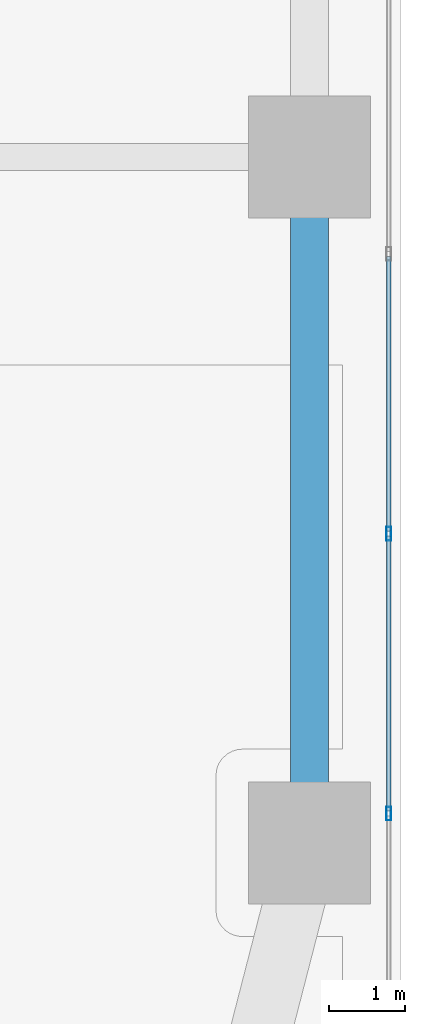
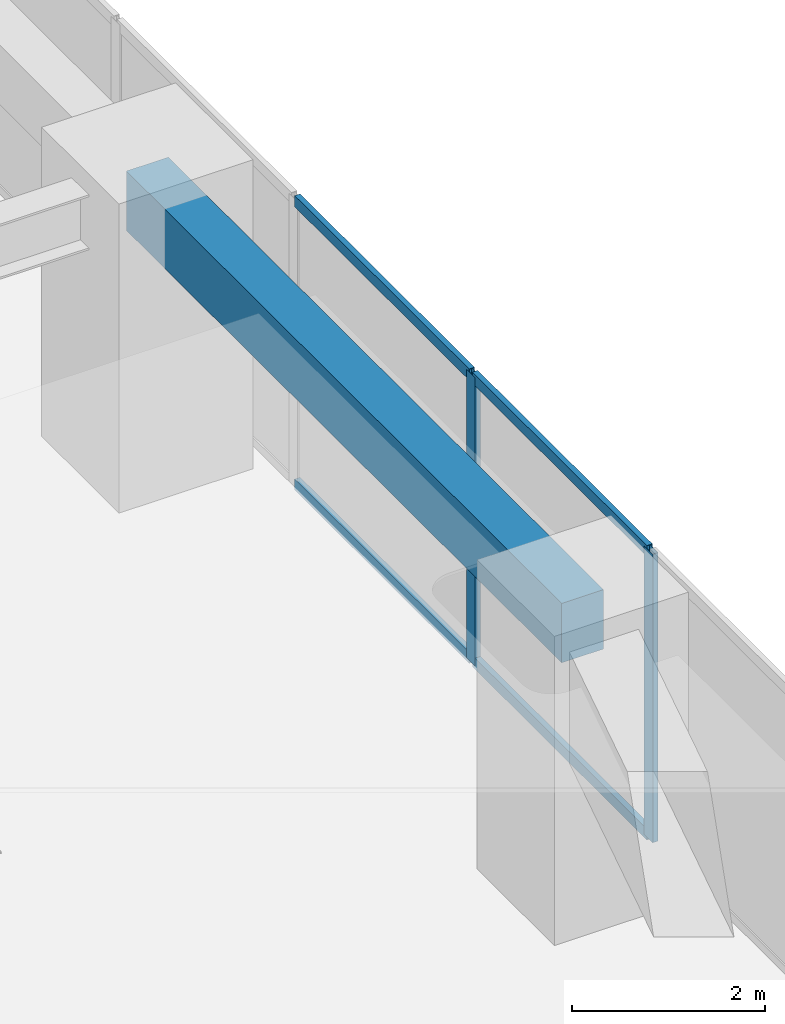
# One storey, part 6 of 28: 6 members, 1 beam, 1 element without a shape of its own.
"""IFC4 building model written with IfcOpenShell, lengths in metres."""

from ifc_helpers import new_model, si_unit, direction, frame, origin, origin_2d, place, context, subcontext, project, spatial, rectangle, hollow_rectangle, extrude, material, layer, layer_set, material_profile, profile_set, type_object, element, aggregate, save


model = new_model("IFC4")

# Units and contexts
model_context = context("Model", 3, precision=1e-05, world=origin(), true_north=direction((0.0, 1.0)))
body_context = subcontext(model_context, "Body", "Model", "MODEL_VIEW")
ifc_project = project(units=[si_unit("LENGTHUNIT", "METRE"), si_unit("AREAUNIT", "SQUARE_METRE"), si_unit("VOLUMEUNIT", "CUBIC_METRE"), si_unit("PLANEANGLEUNIT", "RADIAN"), si_unit("MASSUNIT", "GRAM", prefix="KILO")], contexts=[model_context])

# Site, building, storey
site_placement = place(None, origin())
site = spatial("IfcSite", under=ifc_project, at=site_placement, CompositionType="ELEMENT")
building_placement = place(site_placement, origin())
building = spatial("IfcBuilding", under=site, at=building_placement, Name="Kiyonajd Concourse Tower", CompositionType="ELEMENT")
storey_placement = place(building_placement, frame((0.0, 0.0, 41.10009765625)))
storey = spatial("IfcBuildingStorey", under=building, at=storey_placement, Name="L11", CompositionType="ELEMENT", Elevation=41.10009765625)

# Beam
ifc_material_1 = material(Name="Precast concrete C50/60", Category="concrete")
ifc_material_profile_1 = material_profile(ifc_material_1, rectangle(XDim=0.5, YDim=0.75, at=origin_2d()), Name="RCBM-500x750")
ifc_profile_set_1 = profile_set([ifc_material_profile_1], Name="Precast concrete C50/60")
beam_type = type_object("IfcBeamType", Name="BM-SPAN-RC", PredefinedType="SPANDREL", material=ifc_profile_set_1)
beam_placement = place(storey_placement, frame((78.0, 18.60009765625, 3.264892578125), z_axis=(0.0, 1.0, 0.0), x_axis=(-1.0, 0.0, 0.0)))
element("IfcBeam", 1, at=beam_placement, inside=storey, type_object=beam_type, Name="L11 Perimeter Bundled Tube Spandrel", PredefinedType="SPANDREL", context=body_context, shape_type="SweptSolid", body=[
    extrude(rectangle(XDim=0.5, YDim=0.75, at=origin_2d()), origin(), (0.0, 0.0, 1.0), 9.0),
])

# Curtain wall, members
ifc_material_2 = material(Name="Thermally Broken Anodised Aluminium", Category="aluminium")
ifc_layer = layer(ifc_material_2, 0.179931640625)
ifc_layer_set = layer_set([ifc_layer], Name="Thermally Broken Anodised Aluminium")
curtain_wall_type = type_object("IfcCurtainWallType", Name="CW-SYS-02", PredefinedType="NOTDEFINED", material=ifc_layer_set)
curtain_wall_placement = place(storey_placement, origin())
curtain_wall = element("IfcCurtainWall", 2, at=curtain_wall_placement, inside=storey, type_object=curtain_wall_type, Name="L11 Unitised Curtain Wall CW2", PredefinedType="NOTDEFINED")
ifc_material_profile_2 = material_profile(ifc_material_2, hollow_rectangle(XDim=0.06494140625, YDim=0.179931640625, WallThickness=0.00390625, at=origin_2d()), Name="MULL-65x180")
ifc_profile_set_2 = profile_set([ifc_material_profile_2], Name="Thermally Broken Anodised Aluminium")
member_type_1 = type_object("IfcMemberType", Name="MB-CW-MULL1", PredefinedType="MULLION", material=ifc_profile_set_2)
member_1_placement = place(storey_placement, frame((79.0400390625, 22.657470703125, 0.0), z_axis=(0.0, 0.0, 1.0), x_axis=(1.0, 0.0, 0.0)))
member_1 = element("IfcMember", 3, at=member_1_placement, type_object=member_type_1, Name="CW2 mullion 5", PredefinedType="MULLION", context=body_context, shape_type="SweptSolid", body=[
    extrude(hollow_rectangle(XDim=0.06494140625, YDim=0.179931640625, WallThickness=0.00390625, at=origin_2d()), origin(), (0.0, 0.0, 1.0), 3.639892578125),
])
member_2_placement = place(storey_placement, frame((79.0400390625, 18.984130859375, 0.0), z_axis=(0.0, 0.0, 1.0), x_axis=(1.0, 0.0, 0.0)))
member_2 = element("IfcMember", 4, at=member_2_placement, type_object=member_type_1, Name="CW2 mullion 6", PredefinedType="MULLION", context=body_context, shape_type="SweptSolid", body=[
    extrude(hollow_rectangle(XDim=0.06494140625, YDim=0.179931640625, WallThickness=0.00390625, at=origin_2d()), origin(), (0.0, 0.0, 1.0), 3.639892578125),
])
ifc_material_profile_3 = material_profile(ifc_material_2, hollow_rectangle(XDim=0.06494140625, YDim=0.139892578125, WallThickness=0.00390625, at=origin_2d()), Name="TRAN-65x140")
ifc_profile_set_3 = profile_set([ifc_material_profile_3], Name="Thermally Broken Anodised Aluminium")
member_type_2 = type_object("IfcMemberType", Name="MB-CW-TRAN1", PredefinedType="USERDEFINED", material=ifc_profile_set_3)
member_3_placement = place(storey_placement, frame((79.0400390625, 26.298095703125, 0.032470703125), z_axis=(0.0, -1.0, 0.0), x_axis=(1.0, 0.0, 0.0)))
member_3 = element("IfcMember", 5, at=member_3_placement, type_object=member_type_2, Name="CW2 transom 4.1", ObjectType="TRANSOM", PredefinedType="USERDEFINED", context=body_context, shape_type="SweptSolid", body=[
    extrude(hollow_rectangle(XDim=0.06494140625, YDim=0.139892578125, WallThickness=0.00390625, at=origin_2d()), origin(), (0.0, 0.0, 1.0), 3.608154296875),
])
member_4_placement = place(storey_placement, frame((79.0400390625, 26.298095703125, 3.607421875), z_axis=(0.0, -1.0, 0.0), x_axis=(1.0, 0.0, 0.0)))
member_4 = element("IfcMember", 6, at=member_4_placement, type_object=member_type_2, Name="CW2 transom 4.2", ObjectType="TRANSOM", PredefinedType="USERDEFINED", context=body_context, shape_type="SweptSolid", body=[
    extrude(hollow_rectangle(XDim=0.06494140625, YDim=0.139892578125, WallThickness=0.00390625, at=origin_2d()), origin(), (0.0, 0.0, 1.0), 3.608154296875),
])
member_5_placement = place(storey_placement, frame((79.0400390625, 22.625, 0.032470703125), z_axis=(0.0, -1.0, 0.0), x_axis=(1.0, 0.0, 0.0)))
member_5 = element("IfcMember", 7, at=member_5_placement, type_object=member_type_2, Name="CW2 transom 5.1", ObjectType="TRANSOM", PredefinedType="USERDEFINED", context=body_context, shape_type="SweptSolid", body=[
    extrude(hollow_rectangle(XDim=0.06494140625, YDim=0.139892578125, WallThickness=0.00390625, at=origin_2d()), origin(), (0.0, 0.0, 1.0), 3.608154296875),
])
member_6_placement = place(storey_placement, frame((79.0400390625, 22.625, 3.607421875), z_axis=(0.0, -1.0, 0.0), x_axis=(1.0, 0.0, 0.0)))
member_6 = element("IfcMember", 8, at=member_6_placement, type_object=member_type_2, Name="CW2 transom 5.2", ObjectType="TRANSOM", PredefinedType="USERDEFINED", context=body_context, shape_type="SweptSolid", body=[
    extrude(hollow_rectangle(XDim=0.06494140625, YDim=0.139892578125, WallThickness=0.00390625, at=origin_2d()), origin(), (0.0, 0.0, 1.0), 3.608154296875),
])
aggregate(curtain_wall, [member_1, member_2, member_3, member_4, member_5, member_6])

save(model, "model.ifc")
